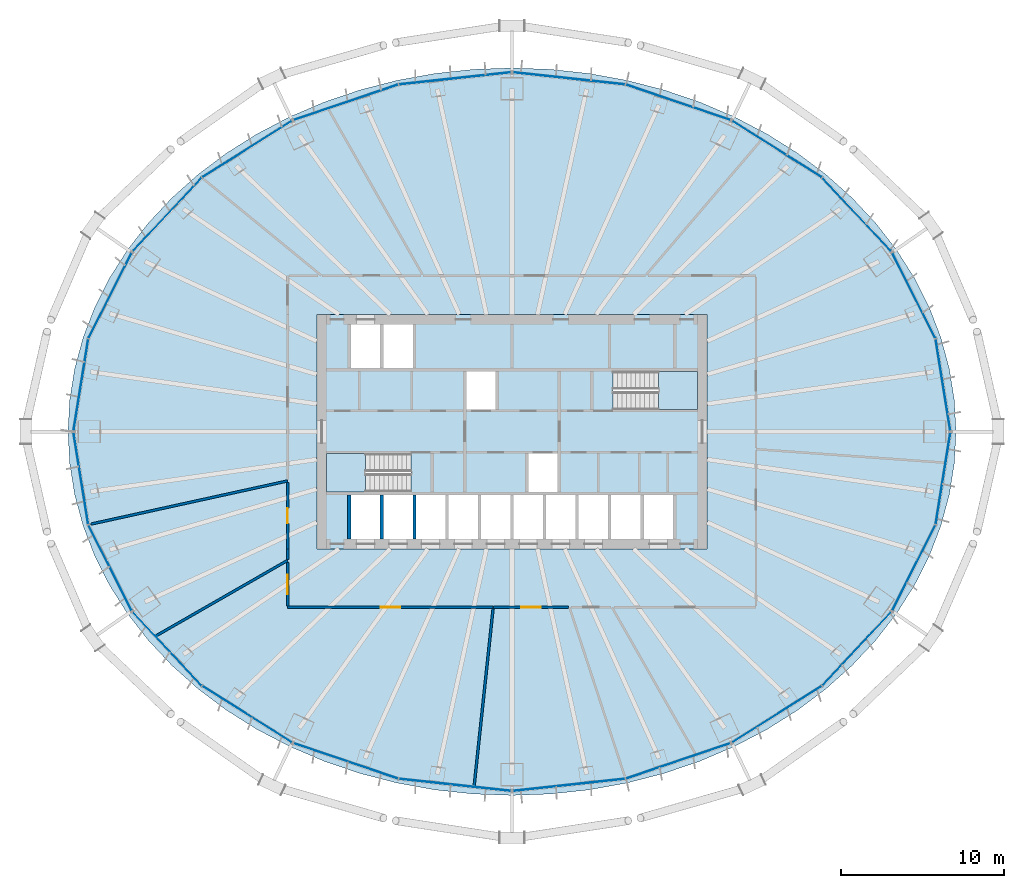
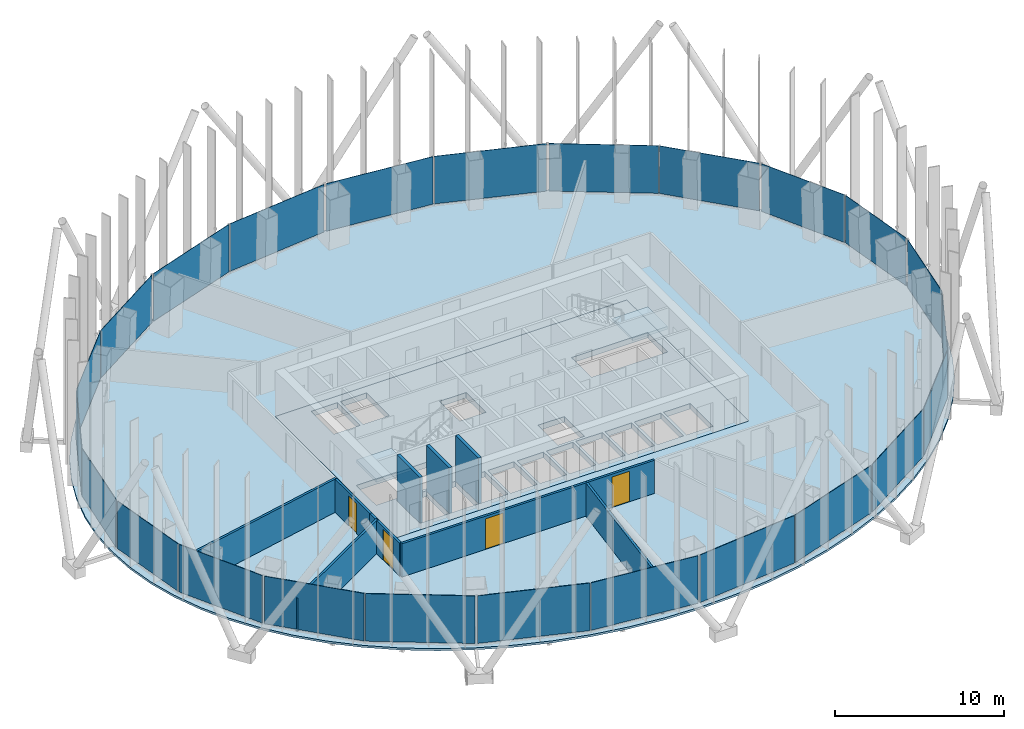
# One storey, part 6 of 21: 24 plates, 11 walls, 4 doors, 4 slabs, 4 openings, 14 elements without a shape of their own.
"""IFC4 building model written with IfcOpenShell, lengths in metres."""

from ifc_helpers import new_model, si_unit, direction, frame, frame_2d, origin, origin_2d, place, context, subcontext, project, spatial, polyline, rectangle, outline, extrude, material, layer, layer_set, type_object, element, fill, aggregate, save


model = new_model("IFC4")

# Units and contexts
model_context = context("Model", 3, precision=1e-05, world=origin(), true_north=direction((0.0, 1.0)))
body_context = subcontext(model_context, "Body", "Model", "MODEL_VIEW")
ifc_project = project(units=[si_unit("LENGTHUNIT", "METRE"), si_unit("AREAUNIT", "SQUARE_METRE"), si_unit("VOLUMEUNIT", "CUBIC_METRE"), si_unit("PLANEANGLEUNIT", "RADIAN"), si_unit("MASSUNIT", "GRAM", prefix="KILO")], contexts=[model_context])

# Site, building, storey
site_placement = place(None, origin())
site = spatial("IfcSite", under=ifc_project, at=site_placement, CompositionType="ELEMENT")
building_placement = place(site_placement, origin())
building = spatial("IfcBuilding", under=site, at=building_placement, Name="Siaravel Broadcast Tower", CompositionType="ELEMENT")
storey_placement = place(building_placement, frame((0.0, 0.0, 70.39990234375)))
storey = spatial("IfcBuildingStorey", under=building, at=storey_placement, Name="L16", CompositionType="ELEMENT", Elevation=70.39990234375)

# Curtain wall, plates
ifc_material_1 = material(Name="Aluminium 6063-T6", Category="aluminium")
ifc_layer_1 = layer(ifc_material_1, 0.219970703125)
ifc_layer_set_1 = layer_set([ifc_layer_1], Name="Aluminium 6063-T6")
curtain_wall_type = type_object("IfcCurtainWallType", Name="Unitised curtain wall, zone 1", PredefinedType="NOTDEFINED", material=ifc_layer_set_1)
curtain_wall_1_placement = place(storey_placement, origin())
curtain_wall_1 = element("IfcCurtainWall", 1, at=curtain_wall_1_placement, inside=storey, type_object=curtain_wall_type, Name="L16 Unitised curtain wall, zone 1 01", PredefinedType="NOTDEFINED")
ifc_material_2 = material(Name="Tinted laminated glass", Category="glass")
ifc_layer_2 = layer(ifc_material_2, 0.031982421875)
ifc_layer_set_2 = layer_set([ifc_layer_2], Name="Tinted laminated glass")
plate_type = type_object("IfcPlateType", Name="CW-Z1 glass panel", PredefinedType="CURTAIN_PANEL", material=ifc_layer_set_2)
plate_1_placement = place(storey_placement, frame((26.501220703125, 2.8779296875, 0.1201171875), z_axis=(0.0, 0.0, 1.0), x_axis=(-0.158685468, 0.987329186, 0.0)))
plate_1 = element("IfcPlate", 2, at=plate_1_placement, type_object=plate_type, Name="CW-Z1 glass panel", PredefinedType="CURTAIN_PANEL", context=body_context, shape_type="SweptSolid", body=[
    extrude(rectangle(XDim=5.689697265625, YDim=0.031982421875, at=origin_2d()), origin(), (0.0, 0.0, 1.0), 3.429931640625),
])
plate_2_placement = place(storey_placement, frame((24.704345703125, 8.370849609375, 0.1201171875), z_axis=(0.0, 0.0, 1.0), x_axis=(-0.451260668, 0.892392184, 0.0)))
plate_2 = element("IfcPlate", 3, at=plate_2_placement, type_object=plate_type, Name="CW-Z1 glass panel", PredefinedType="CURTAIN_PANEL", context=body_context, shape_type="SweptSolid", body=[
    extrude(rectangle(XDim=5.867919921875, YDim=0.031982421875, at=origin_2d()), origin(), (0.0, 0.0, 1.0), 3.429931640625),
])
aggregate(curtain_wall_1, [plate_1, plate_2])

curtain_wall_2_placement = place(storey_placement, origin())
curtain_wall_2 = element("IfcCurtainWall", 4, at=curtain_wall_2_placement, inside=storey, type_object=curtain_wall_type, Name="L16 Unitised curtain wall, zone 1 02", PredefinedType="NOTDEFINED")
plate_3_placement = place(storey_placement, frame((21.193603515625, 13.35205078125, 0.1201171875), z_axis=(0.0, 0.0, 1.0), x_axis=(-0.683654746, 0.729805583, 0.0)))
plate_3 = element("IfcPlate", 5, at=plate_3_placement, type_object=plate_type, Name="CW-Z1 glass panel", PredefinedType="CURTAIN_PANEL", context=body_context, shape_type="SweptSolid", body=[
    extrude(rectangle(XDim=6.16455078125, YDim=0.031982421875, at=origin_2d()), origin(), (0.0, 0.0, 1.0), 3.429931640625),
])
plate_4_placement = place(storey_placement, frame((16.28515625, 17.372802734375, 0.1201171875), z_axis=(0.0, 0.0, 1.0), x_axis=(-0.846650242, 0.532149761, 0.0)))
plate_4 = element("IfcPlate", 6, at=plate_4_placement, type_object=plate_type, Name="CW-Z1 glass panel", PredefinedType="CURTAIN_PANEL", context=body_context, shape_type="SweptSolid", body=[
    extrude(rectangle(XDim=6.49072265625, YDim=0.031982421875, at=origin_2d()), origin(), (0.0, 0.0, 1.0), 3.429931640625),
])
aggregate(curtain_wall_2, [plate_3, plate_4])

curtain_wall_3_placement = place(storey_placement, origin())
curtain_wall_3 = element("IfcCurtainWall", 7, at=curtain_wall_3_placement, inside=storey, type_object=curtain_wall_type, Name="L16 Unitised curtain wall, zone 1 03", PredefinedType="NOTDEFINED")
plate_5_placement = place(storey_placement, frame((10.210693359375, 20.24560546875, 0.1201171875), z_axis=(0.0, 0.0, 1.0), x_axis=(-0.946977085, 0.321301105, 0.0)))
plate_5 = element("IfcPlate", 8, at=plate_5_placement, type_object=plate_type, Name="CW-Z1 glass panel", PredefinedType="CURTAIN_PANEL", context=body_context, shape_type="SweptSolid", body=[
    extrude(rectangle(XDim=6.7607421875, YDim=0.031982421875, at=origin_2d()), origin(), (0.0, 0.0, 1.0), 3.429931640625),
])
plate_6_placement = place(storey_placement, frame((3.505615234375, 21.71728515625, 0.1201171875), z_axis=(0.0, 0.0, 1.0), x_axis=(-0.99423557, 0.107217679, 0.0)))
plate_6 = element("IfcPlate", 9, at=plate_6_placement, type_object=plate_type, Name="CW-Z1 glass panel", PredefinedType="CURTAIN_PANEL", context=body_context, shape_type="SweptSolid", body=[
    extrude(rectangle(XDim=6.911865234375, YDim=0.031982421875, at=origin_2d()), origin(), (0.0, 0.0, 1.0), 3.429931640625),
])
aggregate(curtain_wall_3, [plate_5, plate_6])

curtain_wall_4_placement = place(storey_placement, origin())
curtain_wall_4 = element("IfcCurtainWall", 10, at=curtain_wall_4_placement, inside=storey, type_object=curtain_wall_type, Name="L16 Unitised curtain wall, zone 1 04", PredefinedType="NOTDEFINED")
plate_7_placement = place(storey_placement, frame((-3.505615234375, 21.71728515625, 0.1201171875), z_axis=(0.0, 0.0, 1.0), x_axis=(-0.99423557, -0.107217679, 0.0)))
plate_7 = element("IfcPlate", 11, at=plate_7_placement, type_object=plate_type, Name="CW-Z1 glass panel", PredefinedType="CURTAIN_PANEL", context=body_context, shape_type="SweptSolid", body=[
    extrude(rectangle(XDim=6.911865234375, YDim=0.031982421875, at=origin_2d()), origin(), (0.0, 0.0, 1.0), 3.429931640625),
])
plate_8_placement = place(storey_placement, frame((-10.210693359375, 20.24560546875, 0.1201171875), z_axis=(0.0, 0.0, 1.0), x_axis=(-0.946977085, -0.321301105, 0.0)))
plate_8 = element("IfcPlate", 12, at=plate_8_placement, type_object=plate_type, Name="CW-Z1 glass panel", PredefinedType="CURTAIN_PANEL", context=body_context, shape_type="SweptSolid", body=[
    extrude(rectangle(XDim=6.7607421875, YDim=0.031982421875, at=origin_2d()), origin(), (0.0, 0.0, 1.0), 3.429931640625),
])
aggregate(curtain_wall_4, [plate_7, plate_8])

curtain_wall_5_placement = place(storey_placement, origin())
curtain_wall_5 = element("IfcCurtainWall", 13, at=curtain_wall_5_placement, inside=storey, type_object=curtain_wall_type, Name="L16 Unitised curtain wall, zone 1 05", PredefinedType="NOTDEFINED")
plate_9_placement = place(storey_placement, frame((-16.28515625, 17.372802734375, 0.1201171875), z_axis=(0.0, 0.0, 1.0), x_axis=(-0.846650242, -0.532149761, 0.0)))
plate_9 = element("IfcPlate", 14, at=plate_9_placement, type_object=plate_type, Name="CW-Z1 glass panel", PredefinedType="CURTAIN_PANEL", context=body_context, shape_type="SweptSolid", body=[
    extrude(rectangle(XDim=6.49072265625, YDim=0.031982421875, at=origin_2d()), origin(), (0.0, 0.0, 1.0), 3.429931640625),
])
plate_10_placement = place(storey_placement, frame((-21.193603515625, 13.35205078125, 0.1201171875), z_axis=(0.0, 0.0, 1.0), x_axis=(-0.683654746, -0.729805583, 0.0)))
plate_10 = element("IfcPlate", 15, at=plate_10_placement, type_object=plate_type, Name="CW-Z1 glass panel", PredefinedType="CURTAIN_PANEL", context=body_context, shape_type="SweptSolid", body=[
    extrude(rectangle(XDim=6.16455078125, YDim=0.031982421875, at=origin_2d()), origin(), (0.0, 0.0, 1.0), 3.429931640625),
])
aggregate(curtain_wall_5, [plate_9, plate_10])

curtain_wall_6_placement = place(storey_placement, origin())
curtain_wall_6 = element("IfcCurtainWall", 16, at=curtain_wall_6_placement, inside=storey, type_object=curtain_wall_type, Name="L16 Unitised curtain wall, zone 1 06", PredefinedType="NOTDEFINED")
plate_11_placement = place(storey_placement, frame((-24.704345703125, 8.370849609375, 0.1201171875), z_axis=(0.0, 0.0, 1.0), x_axis=(-0.451260668, -0.892392184, 0.0)))
plate_11 = element("IfcPlate", 17, at=plate_11_placement, type_object=plate_type, Name="CW-Z1 glass panel", PredefinedType="CURTAIN_PANEL", context=body_context, shape_type="SweptSolid", body=[
    extrude(rectangle(XDim=5.867919921875, YDim=0.031982421875, at=origin_2d()), origin(), (0.0, 0.0, 1.0), 3.429931640625),
])
plate_12_placement = place(storey_placement, frame((-26.501220703125, 2.8779296875, 0.1201171875), z_axis=(0.0, 0.0, 1.0), x_axis=(-0.158685468, -0.987329186, 0.0)))
plate_12 = element("IfcPlate", 18, at=plate_12_placement, type_object=plate_type, Name="CW-Z1 glass panel", PredefinedType="CURTAIN_PANEL", context=body_context, shape_type="SweptSolid", body=[
    extrude(rectangle(XDim=5.689697265625, YDim=0.031982421875, at=origin_2d()), origin(), (0.0, 0.0, 1.0), 3.429931640625),
])
aggregate(curtain_wall_6, [plate_11, plate_12])

curtain_wall_7_placement = place(storey_placement, origin())
curtain_wall_7 = element("IfcCurtainWall", 19, at=curtain_wall_7_placement, inside=storey, type_object=curtain_wall_type, Name="L16 Unitised curtain wall, zone 1 07", PredefinedType="NOTDEFINED")
plate_13_placement = place(storey_placement, frame((-26.501220703125, -2.8779296875, 0.1201171875), z_axis=(0.0, 0.0, 1.0), x_axis=(0.158685468, -0.987329186, 0.0)))
plate_13 = element("IfcPlate", 20, at=plate_13_placement, type_object=plate_type, Name="CW-Z1 glass panel", PredefinedType="CURTAIN_PANEL", context=body_context, shape_type="SweptSolid", body=[
    extrude(rectangle(XDim=5.689697265625, YDim=0.031982421875, at=origin_2d()), origin(), (0.0, 0.0, 1.0), 3.429931640625),
])
plate_14_placement = place(storey_placement, frame((-24.704345703125, -8.370849609375, 0.1201171875), z_axis=(0.0, 0.0, 1.0), x_axis=(0.451260668, -0.892392184, 0.0)))
plate_14 = element("IfcPlate", 21, at=plate_14_placement, type_object=plate_type, Name="CW-Z1 glass panel", PredefinedType="CURTAIN_PANEL", context=body_context, shape_type="SweptSolid", body=[
    extrude(rectangle(XDim=5.867919921875, YDim=0.031982421875, at=origin_2d()), origin(), (0.0, 0.0, 1.0), 3.429931640625),
])
aggregate(curtain_wall_7, [plate_13, plate_14])

curtain_wall_8_placement = place(storey_placement, origin())
curtain_wall_8 = element("IfcCurtainWall", 22, at=curtain_wall_8_placement, inside=storey, type_object=curtain_wall_type, Name="L16 Unitised curtain wall, zone 1 08", PredefinedType="NOTDEFINED")
plate_15_placement = place(storey_placement, frame((-21.193603515625, -13.35205078125, 0.1201171875), z_axis=(0.0, 0.0, 1.0), x_axis=(0.683654746, -0.729805583, 0.0)))
plate_15 = element("IfcPlate", 23, at=plate_15_placement, type_object=plate_type, Name="CW-Z1 glass panel", PredefinedType="CURTAIN_PANEL", context=body_context, shape_type="SweptSolid", body=[
    extrude(rectangle(XDim=6.16455078125, YDim=0.031982421875, at=origin_2d()), origin(), (0.0, 0.0, 1.0), 3.429931640625),
])
plate_16_placement = place(storey_placement, frame((-16.28515625, -17.372802734375, 0.1201171875), z_axis=(0.0, 0.0, 1.0), x_axis=(0.846650242, -0.532149761, 0.0)))
plate_16 = element("IfcPlate", 24, at=plate_16_placement, type_object=plate_type, Name="CW-Z1 glass panel", PredefinedType="CURTAIN_PANEL", context=body_context, shape_type="SweptSolid", body=[
    extrude(rectangle(XDim=6.49072265625, YDim=0.031982421875, at=origin_2d()), origin(), (0.0, 0.0, 1.0), 3.429931640625),
])
aggregate(curtain_wall_8, [plate_15, plate_16])

curtain_wall_9_placement = place(storey_placement, origin())
curtain_wall_9 = element("IfcCurtainWall", 25, at=curtain_wall_9_placement, inside=storey, type_object=curtain_wall_type, Name="L16 Unitised curtain wall, zone 1 09", PredefinedType="NOTDEFINED")
plate_17_placement = place(storey_placement, frame((-10.210693359375, -20.24560546875, 0.1201171875), z_axis=(0.0, 0.0, 1.0), x_axis=(0.946977085, -0.321301105, 0.0)))
plate_17 = element("IfcPlate", 26, at=plate_17_placement, type_object=plate_type, Name="CW-Z1 glass panel", PredefinedType="CURTAIN_PANEL", context=body_context, shape_type="SweptSolid", body=[
    extrude(rectangle(XDim=6.7607421875, YDim=0.031982421875, at=origin_2d()), origin(), (0.0, 0.0, 1.0), 3.429931640625),
])
plate_18_placement = place(storey_placement, frame((-3.505615234375, -21.71728515625, 0.1201171875), z_axis=(0.0, 0.0, 1.0), x_axis=(0.99423557, -0.107217679, 0.0)))
plate_18 = element("IfcPlate", 27, at=plate_18_placement, type_object=plate_type, Name="CW-Z1 glass panel", PredefinedType="CURTAIN_PANEL", context=body_context, shape_type="SweptSolid", body=[
    extrude(rectangle(XDim=6.911865234375, YDim=0.031982421875, at=origin_2d()), origin(), (0.0, 0.0, 1.0), 3.429931640625),
])
aggregate(curtain_wall_9, [plate_17, plate_18])

curtain_wall_10_placement = place(storey_placement, origin())
curtain_wall_10 = element("IfcCurtainWall", 28, at=curtain_wall_10_placement, inside=storey, type_object=curtain_wall_type, Name="L16 Unitised curtain wall, zone 1 10", PredefinedType="NOTDEFINED")
plate_19_placement = place(storey_placement, frame((3.505615234375, -21.71728515625, 0.1201171875), z_axis=(0.0, 0.0, 1.0), x_axis=(0.99423557, 0.107217679, 0.0)))
plate_19 = element("IfcPlate", 29, at=plate_19_placement, type_object=plate_type, Name="CW-Z1 glass panel", PredefinedType="CURTAIN_PANEL", context=body_context, shape_type="SweptSolid", body=[
    extrude(rectangle(XDim=6.911865234375, YDim=0.031982421875, at=origin_2d()), origin(), (0.0, 0.0, 1.0), 3.429931640625),
])
plate_20_placement = place(storey_placement, frame((10.210693359375, -20.24560546875, 0.1201171875), z_axis=(0.0, 0.0, 1.0), x_axis=(0.946977085, 0.321301105, 0.0)))
plate_20 = element("IfcPlate", 30, at=plate_20_placement, type_object=plate_type, Name="CW-Z1 glass panel", PredefinedType="CURTAIN_PANEL", context=body_context, shape_type="SweptSolid", body=[
    extrude(rectangle(XDim=6.7607421875, YDim=0.031982421875, at=origin_2d()), origin(), (0.0, 0.0, 1.0), 3.429931640625),
])
aggregate(curtain_wall_10, [plate_19, plate_20])

curtain_wall_11_placement = place(storey_placement, origin())
curtain_wall_11 = element("IfcCurtainWall", 31, at=curtain_wall_11_placement, inside=storey, type_object=curtain_wall_type, Name="L16 Unitised curtain wall, zone 1 11", PredefinedType="NOTDEFINED")
plate_21_placement = place(storey_placement, frame((16.28515625, -17.372802734375, 0.1201171875), z_axis=(0.0, 0.0, 1.0), x_axis=(0.846650242, 0.532149761, 0.0)))
plate_21 = element("IfcPlate", 32, at=plate_21_placement, type_object=plate_type, Name="CW-Z1 glass panel", PredefinedType="CURTAIN_PANEL", context=body_context, shape_type="SweptSolid", body=[
    extrude(rectangle(XDim=6.49072265625, YDim=0.031982421875, at=origin_2d()), origin(), (0.0, 0.0, 1.0), 3.429931640625),
])
plate_22_placement = place(storey_placement, frame((21.193603515625, -13.35205078125, 0.1201171875), z_axis=(0.0, 0.0, 1.0), x_axis=(0.683654746, 0.729805583, 0.0)))
plate_22 = element("IfcPlate", 33, at=plate_22_placement, type_object=plate_type, Name="CW-Z1 glass panel", PredefinedType="CURTAIN_PANEL", context=body_context, shape_type="SweptSolid", body=[
    extrude(rectangle(XDim=6.16455078125, YDim=0.031982421875, at=origin_2d()), origin(), (0.0, 0.0, 1.0), 3.429931640625),
])
aggregate(curtain_wall_11, [plate_21, plate_22])

curtain_wall_12_placement = place(storey_placement, origin())
curtain_wall_12 = element("IfcCurtainWall", 34, at=curtain_wall_12_placement, inside=storey, type_object=curtain_wall_type, Name="L16 Unitised curtain wall, zone 1 12", PredefinedType="NOTDEFINED")
plate_23_placement = place(storey_placement, frame((24.704345703125, -8.370849609375, 0.1201171875), z_axis=(0.0, 0.0, 1.0), x_axis=(0.451260668, 0.892392184, 0.0)))
plate_23 = element("IfcPlate", 35, at=plate_23_placement, type_object=plate_type, Name="CW-Z1 glass panel", PredefinedType="CURTAIN_PANEL", context=body_context, shape_type="SweptSolid", body=[
    extrude(rectangle(XDim=5.867919921875, YDim=0.031982421875, at=origin_2d()), origin(), (0.0, 0.0, 1.0), 3.429931640625),
])
plate_24_placement = place(storey_placement, frame((26.501220703125, -2.8779296875, 0.1201171875), z_axis=(0.0, 0.0, 1.0), x_axis=(0.158685468, 0.987329186, 0.0)))
plate_24 = element("IfcPlate", 36, at=plate_24_placement, type_object=plate_type, Name="CW-Z1 glass panel", PredefinedType="CURTAIN_PANEL", context=body_context, shape_type="SweptSolid", body=[
    extrude(rectangle(XDim=5.689697265625, YDim=0.031982421875, at=origin_2d()), origin(), (0.0, 0.0, 1.0), 3.429931640625),
])
aggregate(curtain_wall_12, [plate_23, plate_24])

# Slabs
ifc_material_3 = material(Name="Concrete C40/50", Category="concrete")
ifc_layer_3 = layer(ifc_material_3, 0.39990234375)
ifc_layer_set_3 = layer_set([ifc_layer_3], Name="Concrete C40/50")
slab_type_1 = type_object("IfcSlabType", Name="Core floor slab 400", PredefinedType="FLOOR", material=ifc_layer_set_3)
slab_1_placement = place(storey_placement, frame((0.0, 0.0, -0.39990234375)))
element("IfcSlab", 37, at=slab_1_placement, inside=storey, type_object=slab_type_1, Name="L16 core floor", PredefinedType="FLOOR", context=body_context, shape_type="SweptSolid", body=[
    extrude(outline(polyline([(-12.0, -7.199951171875), (-12.0, 7.199951171875), (12.0, 7.199951171875), (12.0, -7.199951171875), (-12.0, -7.199951171875)]), holes=[polyline([(11.3994140625, 1.3505859375), (11.3994140625, 3.699462890625), (6.200439453125, 3.699462890625), (6.200439453125, 1.3505859375), (11.3994140625, 1.3505859375)]), polyline([(9.89990234375, -3.89990234375), (8.10009765625, -3.89990234375), (8.10009765625, -6.60009765625), (9.89990234375, -6.60009765625), (9.89990234375, -3.89990234375)]), polyline([(7.89990234375, -3.89990234375), (6.10009765625, -3.89990234375), (6.10009765625, -6.60009765625), (7.89990234375, -6.60009765625), (7.89990234375, -3.89990234375)]), polyline([(5.89990234375, -3.89990234375), (4.10009765625, -3.89990234375), (4.10009765625, -6.60009765625), (5.89990234375, -6.60009765625), (5.89990234375, -3.89990234375)]), polyline([(3.89990234375, -3.89990234375), (2.10009765625, -3.89990234375), (2.10009765625, -6.60009765625), (3.89990234375, -6.60009765625), (3.89990234375, -3.89990234375)]), polyline([(2.800048828125, -1.35009765625), (1.0, -1.35009765625), (1.0, -3.699951171875), (2.800048828125, -3.699951171875), (2.800048828125, -1.35009765625)]), polyline([(1.89990234375, -3.89990234375), (0.10009765625, -3.89990234375), (0.10009765625, -6.60009765625), (1.89990234375, -6.60009765625), (1.89990234375, -3.89990234375)]), polyline([(-0.10009765625, -3.89990234375), (-1.89990234375, -3.89990234375), (-1.89990234375, -6.60009765625), (-0.10009765625, -6.60009765625), (-0.10009765625, -3.89990234375)]), polyline([(-1.0, 3.699951171875), (-2.800048828125, 3.699951171875), (-2.800048828125, 1.35009765625), (-1.0, 1.35009765625), (-1.0, 3.699951171875)]), polyline([(-2.10009765625, -3.89990234375), (-3.89990234375, -3.89990234375), (-3.89990234375, -6.60009765625), (-2.10009765625, -6.60009765625), (-2.10009765625, -3.89990234375)]), polyline([(-4.10009765625, -3.89990234375), (-5.89990234375, -3.89990234375), (-5.89990234375, -6.60009765625), (-4.10009765625, -6.60009765625), (-4.10009765625, -3.89990234375)]), polyline([(-6.10009765625, -3.89990234375), (-7.89990234375, -3.89990234375), (-7.89990234375, -6.60009765625), (-6.10009765625, -6.60009765625), (-6.10009765625, -3.89990234375)]), polyline([(-6.10009765625, 6.60009765625), (-7.89990234375, 6.60009765625), (-7.89990234375, 3.89990234375), (-6.10009765625, 3.89990234375), (-6.10009765625, 6.60009765625)]), polyline([(-11.3994140625, -1.3505859375), (-11.3994140625, -3.699462890625), (-6.200439453125, -3.699462890625), (-6.200439453125, -1.3505859375), (-11.3994140625, -1.3505859375)]), polyline([(-8.10009765625, -3.89990234375), (-9.89990234375, -3.89990234375), (-9.89990234375, -6.60009765625), (-8.10009765625, -6.60009765625), (-8.10009765625, -3.89990234375)]), polyline([(-8.10009765625, 6.60009765625), (-9.89990234375, 6.60009765625), (-9.89990234375, 3.89990234375), (-8.10009765625, 3.89990234375), (-8.10009765625, 6.60009765625)])]), origin(), (0.0, 0.0, 1.0), 0.39990234375),
])
ifc_layer_4 = layer(ifc_material_3, 0.14990234375)
ifc_layer_set_4 = layer_set([ifc_layer_4], Name="Concrete C40/50")
slab_type_2 = type_object("IfcSlabType", Name="SLB-FLOOR-150", PredefinedType="FLOOR", material=ifc_layer_set_4)
slab_2_placement = place(storey_placement, frame((0.0, 0.0, -0.14990234375)))
element("IfcSlab", 38, at=slab_2_placement, inside=storey, type_object=slab_type_2, Name="Floor slab", PredefinedType="FLOOR", context=body_context, shape_type="SweptSolid", body=[
    extrude(outline(polyline([(27.2978515625, 0.0), (27.19384765625, 1.94873046875), (26.883056640625, 3.8828125), (26.36767578125, 5.787109375), (25.651611328125, 7.6474609375), (24.740234375, 9.44970703125), (23.640625, 11.179931640625), (22.361083984375, 12.8251953125), (20.911376953125, 14.372802734375), (19.302490234375, 15.810791015625), (17.546630859375, 17.128662109375), (15.657470703125, 18.316162109375), (13.64892578125, 19.3642578125), (11.53662109375, 20.264892578125), (9.33642578125, 21.011474609375), (7.065185546875, 21.597900390625), (4.740234375, 22.020263671875), (2.379150390625, 22.27490234375), (0.0, 22.35986328125), (-2.379150390625, 22.27490234375), (-4.740234375, 22.020263671875), (-7.065185546875, 21.597900390625), (-9.33642578125, 21.011474609375), (-11.53662109375, 20.264892578125), (-13.64892578125, 19.3642578125), (-15.657470703125, 18.316162109375), (-17.546630859375, 17.128662109375), (-19.302490234375, 15.810791015625), (-20.911376953125, 14.372802734375), (-22.361083984375, 12.8251953125), (-23.640625, 11.179931640625), (-24.740234375, 9.44970703125), (-25.651611328125, 7.6474609375), (-26.36767578125, 5.787109375), (-26.883056640625, 3.8828125), (-27.19384765625, 1.94873046875), (-27.2978515625, 0.0), (-27.19384765625, -1.94873046875), (-26.883056640625, -3.8828125), (-26.36767578125, -5.787109375), (-25.651611328125, -7.6474609375), (-24.740234375, -9.44970703125), (-23.640625, -11.179931640625), (-22.361083984375, -12.8251953125), (-20.911376953125, -14.372802734375), (-19.302490234375, -15.810791015625), (-17.546630859375, -17.128662109375), (-15.657470703125, -18.316162109375), (-13.64892578125, -19.3642578125), (-11.53662109375, -20.264892578125), (-9.33642578125, -21.011474609375), (-7.065185546875, -21.597900390625), (-4.740234375, -22.020263671875), (-2.379150390625, -22.27490234375), (0.0, -22.35986328125), (2.379150390625, -22.27490234375), (4.740234375, -22.020263671875), (7.065185546875, -21.597900390625), (9.33642578125, -21.011474609375), (11.53662109375, -20.264892578125), (13.64892578125, -19.3642578125), (15.657470703125, -18.316162109375), (17.546630859375, -17.128662109375), (19.302490234375, -15.810791015625), (20.911376953125, -14.372802734375), (22.361083984375, -12.8251953125), (23.640625, -11.179931640625), (24.740234375, -9.44970703125), (25.651611328125, -7.6474609375), (26.36767578125, -5.787109375), (26.883056640625, -3.8828125), (27.19384765625, -1.94873046875), (27.2978515625, 0.0)]), holes=[polyline([(-12.0, 7.199951171875), (12.0, 7.199951171875), (12.0, -7.199951171875), (-12.0, -7.199951171875), (-12.0, 7.199951171875)])]), origin(), (0.0, 0.0, 1.0), 0.14990234375),
])

# Stair, slab
stair_type = type_object("IfcStairType", Name="Core exit stair", PredefinedType="HALF_TURN_STAIR", material=ifc_material_3)
stair_1_placement = place(storey_placement, origin())
stair_1 = element("IfcStair", 39, at=stair_1_placement, inside=storey, type_object=stair_type, Name="L16 Exit stair ST-1", PredefinedType="HALF_TURN_STAIR")
ifc_layer_5 = layer(ifc_material_3, 0.199951171875)
ifc_layer_set_5 = layer_set([ifc_layer_5], Name="Concrete C40/50")
slab_type_3 = type_object("IfcSlabType", Name="Stair landing", PredefinedType="LANDING", material=ifc_layer_set_5)
slab_3_placement = place(storey_placement, frame((0.0, 0.0, 1.650146484375)))
slab_3 = element("IfcSlab", 40, at=slab_3_placement, type_object=slab_type_3, Name="ST-1 landing 1", PredefinedType="LANDING", context=body_context, shape_type="SweptSolid", body=[
    extrude(outline(polyline([(-9.0, -1.35009765625), (-11.39990234375, -1.35009765625), (-11.39990234375, -3.699951171875), (-9.0, -3.699951171875), (-9.0, -1.35009765625)])), origin(), (0.0, 0.0, 1.0), 0.199951171875),
])
aggregate(stair_1, [slab_3])

stair_2_placement = place(storey_placement, origin())
stair_2 = element("IfcStair", 41, at=stair_2_placement, inside=storey, type_object=stair_type, Name="L16 Exit stair ST-2", PredefinedType="HALF_TURN_STAIR")
slab_4_placement = place(storey_placement, frame((0.0, 0.0, 1.650146484375)))
slab_4 = element("IfcSlab", 42, at=slab_4_placement, type_object=slab_type_3, Name="ST-2 landing 1", PredefinedType="LANDING", context=body_context, shape_type="SweptSolid", body=[
    extrude(outline(polyline([(9.0, 1.35009765625), (11.39990234375, 1.35009765625), (11.39990234375, 3.699951171875), (9.0, 3.699951171875), (9.0, 1.35009765625)])), origin(), (0.0, 0.0, 1.0), 0.199951171875),
])
aggregate(stair_2, [slab_4])

# Wall, opening, door
ifc_material_4 = material(Name="Gypsum board partition", Category="gypsum")
ifc_layer_6 = layer(ifc_material_4, 0.14990234375)
ifc_layer_set_6 = layer_set([ifc_layer_6], Name="Gypsum board partition")
wall_type_1 = type_object("IfcWallType", Name="Corridor wall 150", PredefinedType="PARTITIONING", material=ifc_layer_set_6)
wall_1_placement = place(storey_placement, frame((-13.800048828125, -10.800048828125, 0.0), z_axis=(0.0, 0.0, 1.0), x_axis=(1.0, 0.0, 0.0)))
wall_1 = element("IfcWall", 43, at=wall_1_placement, inside=storey, type_object=wall_type_1, Name="L16 partition 2", PredefinedType="PARTITIONING", context=body_context, shape_type="SweptSolid", body=[
    extrude(rectangle(XDim=12.646484375, YDim=0.14990234375, at=frame_2d((6.3232421875, 0.0))), origin(), (0.0, 0.0, 1.0), 2.400146484375),
])
opening_1_placement = place(wall_1_placement, frame((5.72314453125, 0.0, 0.0)))
opening_1 = element("IfcOpeningElement", 44, at=opening_1_placement, cuts=wall_1, Name="Opening L16-010", PredefinedType="OPENING", context=body_context, shape_type="SweptSolid", body=[
    extrude(rectangle(XDim=1.199951171875, YDim=2.199951171875, at=frame_2d((0.60009765625, 1.10009765625))), frame((0.0, 0.0849609375, 0.0), z_axis=(0.0, -1.0, 0.0), x_axis=(1.0, 0.0, 0.0)), (0.0, 0.0, 1.0), 0.169921875),
])
ifc_material_5 = material(Name="Timber veneer", Category="wood")
door_type_1 = type_object("IfcDoorType", Name="Office double door 1200", OperationType="DOUBLE_DOOR_SINGLE_SWING", PredefinedType="DOOR", material=ifc_material_5)
door_1_placement = place(opening_1_placement, origin())
door_1 = element("IfcDoor", 45, at=door_1_placement, inside=storey, type_object=door_type_1, Name="L16 door to Open plan newsroom", OperationType="DOUBLE_DOOR_SINGLE_SWING", OverallHeight=2.199951171875, OverallWidth=1.199951171875, PredefinedType="DOOR", context=body_context, shape_type="SweptSolid", body=[
    extrude(rectangle(XDim=1.199951171875, YDim=2.199951171875, at=frame_2d((0.60009765625, 1.10009765625))), frame((0.0, 0.02490234375, 0.0), z_axis=(0.0, -1.0, 0.0), x_axis=(1.0, 0.0, 0.0)), (0.0, 0.0, 1.0), 0.050048828125),
])
fill(opening_1, door_1)

wall_2_placement = place(storey_placement, frame((-1.152587890625, -10.800048828125, 0.0), z_axis=(0.0, 0.0, 1.0), x_axis=(1.0, 0.0, 0.0)))
wall_2 = element("IfcWall", 46, at=wall_2_placement, inside=storey, type_object=wall_type_1, Name="L16 partition 18", PredefinedType="PARTITIONING", context=body_context, shape_type="SweptSolid", body=[
    extrude(rectangle(XDim=4.6123046875, YDim=0.14990234375, at=frame_2d((2.30615234375, 0.0))), origin(), (0.0, 0.0, 1.0), 2.400146484375),
])
opening_2_placement = place(wall_2_placement, frame((1.7060546875, 0.0, 0.0)))
opening_2 = element("IfcOpeningElement", 47, at=opening_2_placement, cuts=wall_2, Name="Opening L16-012", PredefinedType="OPENING", context=body_context, shape_type="SweptSolid", body=[
    extrude(rectangle(XDim=1.199951171875, YDim=2.199951171875, at=frame_2d((0.60009765625, 1.10009765625))), frame((0.0, 0.0849609375, 0.0), z_axis=(0.0, -1.0, 0.0), x_axis=(1.0, 0.0, 0.0)), (0.0, 0.0, 1.0), 0.169921875),
])
door_2_placement = place(opening_2_placement, origin())
door_2 = element("IfcDoor", 48, at=door_2_placement, inside=storey, type_object=door_type_1, Name="L16 door to Newsroom desk office", OperationType="DOUBLE_DOOR_SINGLE_SWING", OverallHeight=2.199951171875, OverallWidth=1.199951171875, PredefinedType="DOOR", context=body_context, shape_type="SweptSolid", body=[
    extrude(rectangle(XDim=1.199951171875, YDim=2.199951171875, at=frame_2d((0.60009765625, 1.10009765625))), frame((0.0, 0.02490234375, 0.0), z_axis=(0.0, -1.0, 0.0), x_axis=(1.0, 0.0, 0.0)), (0.0, 0.0, 1.0), 0.050048828125),
])
fill(opening_2, door_2)

wall_3_placement = place(storey_placement, frame((-13.800048828125, -3.1240234375, 0.0), z_axis=(0.0, 0.0, 1.0), x_axis=(0.0, -1.0, 0.0)))
wall_3 = element("IfcWall", 49, at=wall_3_placement, inside=storey, type_object=wall_type_1, Name="L16 partition 19", PredefinedType="PARTITIONING", context=body_context, shape_type="SweptSolid", body=[
    extrude(rectangle(XDim=4.087890625, YDim=0.14990234375, at=frame_2d((2.0439453125, 0.0))), origin(), (0.0, 0.0, 1.0), 2.400146484375),
])
opening_3_placement = place(wall_3_placement, frame((1.569091796875, 0.0, 0.0)))
opening_3 = element("IfcOpeningElement", 50, at=opening_3_placement, cuts=wall_3, Name="Opening L16-009", PredefinedType="OPENING", context=body_context, shape_type="SweptSolid", body=[
    extrude(rectangle(XDim=0.949951171875, YDim=2.14990234375, at=frame_2d((0.47509765625, 1.074951171875))), frame((0.0, 0.0849609375, 0.0), z_axis=(0.0, -1.0, 0.0), x_axis=(1.0, 0.0, 0.0)), (0.0, 0.0, 1.0), 0.169921875),
])
door_type_2 = type_object("IfcDoorType", Name="Office door 950", OperationType="SINGLE_SWING_LEFT", PredefinedType="DOOR", material=ifc_material_5)
door_3_placement = place(opening_3_placement, origin())
door_3 = element("IfcDoor", 51, at=door_3_placement, inside=storey, type_object=door_type_2, Name="L16 door to Graphics studio", OperationType="SINGLE_SWING_LEFT", OverallHeight=2.14990234375, OverallWidth=0.949951171875, PredefinedType="DOOR", context=body_context, shape_type="SweptSolid", body=[
    extrude(rectangle(XDim=0.949951171875, YDim=2.14990234375, at=frame_2d((0.47509765625, 1.074951171875))), frame((0.0, 0.02490234375, 0.0), z_axis=(0.0, -1.0, 0.0), x_axis=(1.0, 0.0, 0.0)), (0.0, 0.0, 1.0), 0.050048828125),
])
fill(opening_3, door_3)

wall_4_placement = place(storey_placement, frame((-13.800048828125, -8.04638671875, 0.0), z_axis=(0.0, 0.0, 1.0), x_axis=(0.0, -1.0, 0.0)))
wall_4 = element("IfcWall", 52, at=wall_4_placement, inside=storey, type_object=wall_type_1, Name="L16 partition 21", PredefinedType="PARTITIONING", context=body_context, shape_type="SweptSolid", body=[
    extrude(rectangle(XDim=2.676513671875, YDim=0.14990234375, at=frame_2d((1.33837890625, 0.0))), origin(), (0.0, 0.0, 1.0), 2.400146484375),
])
opening_4_placement = place(wall_4_placement, frame((0.73828125, 0.0, 0.0)))
opening_4 = element("IfcOpeningElement", 53, at=opening_4_placement, cuts=wall_4, Name="Opening L16-011", PredefinedType="OPENING", context=body_context, shape_type="SweptSolid", body=[
    extrude(rectangle(XDim=1.199951171875, YDim=2.199951171875, at=frame_2d((0.60009765625, 1.10009765625))), frame((0.0, 0.0849609375, 0.0), z_axis=(0.0, -1.0, 0.0), x_axis=(1.0, 0.0, 0.0)), (0.0, 0.0, 1.0), 0.169921875),
])
door_4_placement = place(opening_4_placement, origin())
door_4 = element("IfcDoor", 54, at=door_4_placement, inside=storey, type_object=door_type_1, Name="L16 door to Open plan newsroom", OperationType="DOUBLE_DOOR_SINGLE_SWING", OverallHeight=2.199951171875, OverallWidth=1.199951171875, PredefinedType="DOOR", context=body_context, shape_type="SweptSolid", body=[
    extrude(rectangle(XDim=1.199951171875, YDim=2.199951171875, at=frame_2d((0.60009765625, 1.10009765625))), frame((0.0, 0.02490234375, 0.0), z_axis=(0.0, -1.0, 0.0), x_axis=(1.0, 0.0, 0.0)), (0.0, 0.0, 1.0), 0.050048828125),
])
fill(opening_4, door_4)

# Walls
wall_5_placement = place(storey_placement, frame((-13.800048828125, -7.212890625, 0.0), z_axis=(0.0, 0.0, 1.0), x_axis=(0.0, -1.0, 0.0)))
element("IfcWall", 55, at=wall_5_placement, inside=storey, type_object=wall_type_1, Name="L16 partition 26", PredefinedType="PARTITIONING", context=body_context, shape_type="SweptSolid", body=[
    extrude(rectangle(XDim=0.635009765625, YDim=0.14990234375, at=frame_2d((0.3173828125, 0.0))), origin(), (0.0, 0.0, 1.0), 2.400146484375),
])
ifc_layer_7 = layer(ifc_material_4, 0.14990234375)
ifc_layer_set_7 = layer_set([ifc_layer_7], Name="Gypsum board partition")
wall_type_2 = type_object("IfcWallType", Name="Room partition 150", PredefinedType="PARTITIONING", material=ifc_layer_set_7)
wall_6_placement = place(storey_placement, frame((-25.878173828125, -5.6796875, 0.0), z_axis=(0.0, 0.0, 1.0), x_axis=(0.976751402, 0.214375136, 0.0)))
element("IfcWall", 56, at=wall_6_placement, inside=storey, type_object=wall_type_2, Name="L16 partition 3", PredefinedType="PARTITIONING", context=body_context, shape_type="SweptSolid", body=[
    extrude(rectangle(XDim=12.36572265625, YDim=0.14990234375, at=frame_2d((6.182861328125, 0.0))), origin(), (0.0, 0.0, 1.0), 2.400146484375),
])
wall_7_placement = place(storey_placement, frame((-2.3330078125, -21.841796875, 0.0), z_axis=(0.0, 0.0, 1.0), x_axis=(0.106216283, 0.99434305, 0.0)))
element("IfcWall", 57, at=wall_7_placement, inside=storey, type_object=wall_type_2, Name="L16 partition 6", PredefinedType="PARTITIONING", context=body_context, shape_type="SweptSolid", body=[
    extrude(rectangle(XDim=11.01904296875, YDim=0.14990234375, at=frame_2d((5.509521484375, 0.0))), origin(), (0.0, 0.0, 1.0), 2.400146484375),
])
wall_8_placement = place(storey_placement, frame((-21.939453125, -12.58349609375, 0.0), z_axis=(0.0, 0.0, 1.0), x_axis=(0.867444641, 0.497533712, 0.0)))
element("IfcWall", 58, at=wall_8_placement, inside=storey, type_object=wall_type_2, Name="L16 partition 11", PredefinedType="PARTITIONING", context=body_context, shape_type="SweptSolid", body=[
    extrude(rectangle(XDim=9.38330078125, YDim=0.14990234375, at=frame_2d((4.691650390625, 0.0))), origin(), (0.0, 0.0, 1.0), 2.400146484375),
])
ifc_material_6 = material(Name="Concrete C60/75", Category="concrete")
ifc_layer_8 = layer(ifc_material_6, 0.199951171875)
ifc_layer_set_8 = layer_set([ifc_layer_8], Name="Concrete C60/75")
wall_type_3 = type_object("IfcWallType", Name="Shaft wall 200", PredefinedType="SHEAR", material=ifc_layer_set_8)
for number, where, z_axis, x_axis, name in (
    (59, (-10.0, -6.60009765625, 0.0), (0.0, 0.0, 1.0), (0.0, 1.0, 0.0), "L16 core wall SWS0"),
    (60, (-8.0, -6.60009765625, 0.0), (0.0, 0.0, 1.0), (0.0, 1.0, 0.0), "L16 core wall SWS1"),
    (61, (-6.0, -6.60009765625, 0.0), (0.0, 0.0, 1.0), (0.0, 1.0, 0.0), "L16 core wall SWS2"),
):
    element("IfcWall", number, at=place(storey_placement, frame(where, z_axis=z_axis, x_axis=x_axis)), inside=storey, type_object=wall_type_3, Name=name, PredefinedType="SHEAR", context=body_context, shape_type="SweptSolid", body=[
        extrude(rectangle(XDim=2.7001953125, YDim=0.199951171875, at=frame_2d((1.35009765625, 0.0))), origin(), (0.0, 0.0, 1.0), 3.300048828125),
    ])

save(model, "model.ifc")
